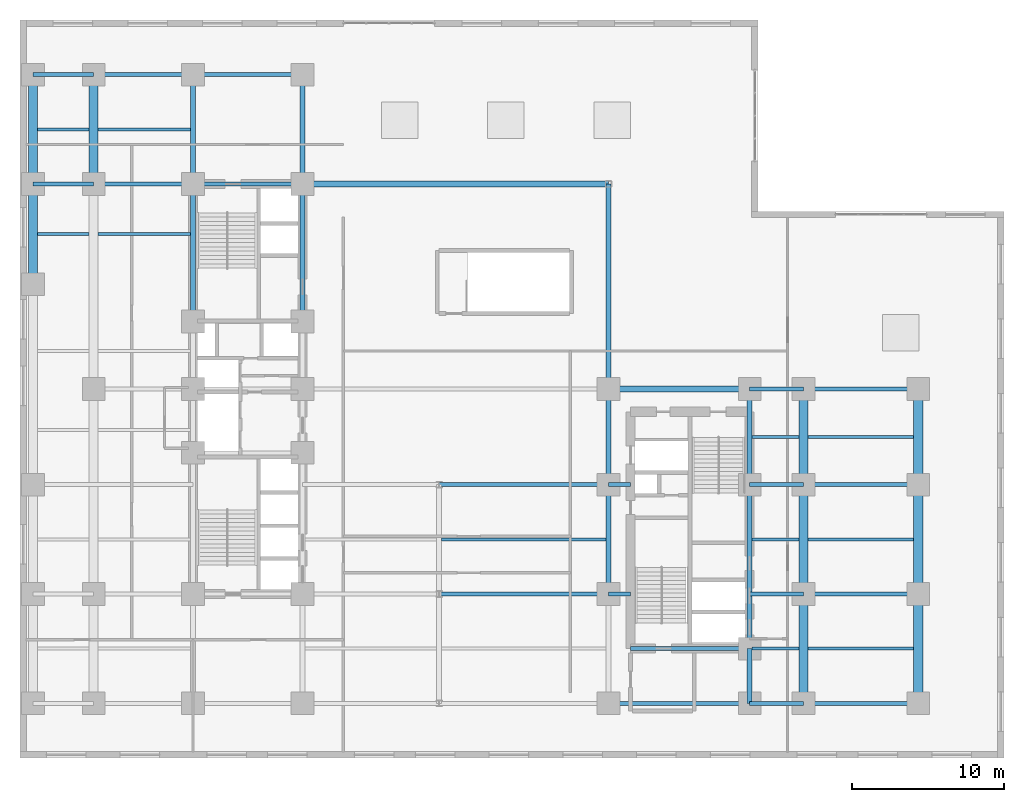
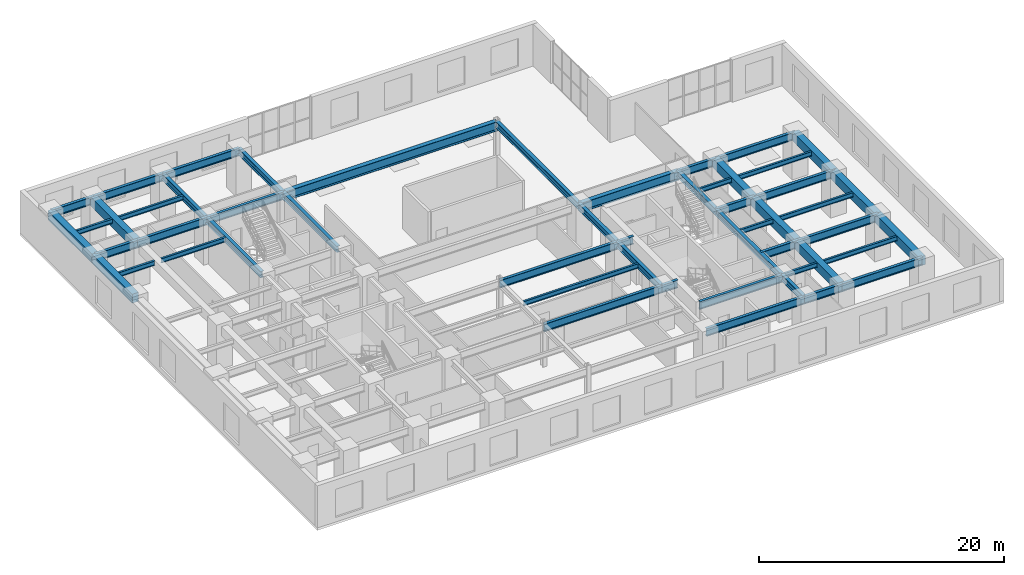
# One storey, part 3 of 14: 52 beams.
"""IFC4 building model written with IfcOpenShell, lengths in metres."""

from ifc_helpers import new_model, entity, si_unit, converted_unit, direction, frame, origin_with_axes, origin_2d_with_axis, place, context, subcontext, project, spatial, rectangle, i_section, extrude, material, material_profile, profile_set, type_object, element, save


model = new_model("IFC4")

# Units and contexts
model_context = context("Model", 3, precision=1e-05, world=origin_with_axes(), true_north=direction((0.0, 1.0)))
body_context = subcontext(model_context, "Body", "Model", "MODEL_VIEW")
ifc_project = project(units=[si_unit("LENGTHUNIT", "METRE"), si_unit("AREAUNIT", "SQUARE_METRE"), si_unit("VOLUMEUNIT", "CUBIC_METRE"), converted_unit("PLANEANGLEUNIT", "DEGREE", entity("IfcPlaneAngleMeasure", 0.017453292519943295), si_unit("PLANEANGLEUNIT", "RADIAN"), dimensions=[0, 0, 0, 0, 0, 0, 0]), si_unit("MASSUNIT", "GRAM", prefix="KILO"), si_unit("THERMODYNAMICTEMPERATUREUNIT", "KELVIN")], contexts=[model_context])

# Site, building, storey
site_placement = place(None, origin_with_axes())
site = spatial("IfcSite", under=ifc_project, at=site_placement, CompositionType="ELEMENT")
building_placement = place(site_placement, origin_with_axes())
building = spatial("IfcBuilding", under=site, at=building_placement, Name="Varnlund Millrace Tower", CompositionType="ELEMENT")
storey_placement = place(building_placement, frame((0.0, 0.0, 24.3), z_axis=(0.0, 0.0, 1.0), x_axis=(1.0, 0.0, 0.0)))
storey = spatial("IfcBuildingStorey", under=building, at=storey_placement, Name="L05", CompositionType="ELEMENT", Elevation=24.3)

# Beams
ifc_material_1 = material(Name="Steel ASTM A992 Grade 50", Category="steel")
ifc_material_profile_1 = material_profile(ifc_material_1, i_section(OverallWidth=0.328, OverallDepth=0.628, WebThickness=0.0165, FlangeThickness=0.0277, FilletRadius=0.018, at=origin_2d_with_axis()), Name="Steel ASTM A992 Grade 50")
ifc_profile_set_1 = profile_set([ifc_material_profile_1], Name="Steel ASTM A992 Grade 50")
beam_type_1 = type_object("IfcBeamType", Name="Type-Girder-W24X146", PredefinedType="USERDEFINED", material=ifc_profile_set_1)
beam_1_placement = place(storey_placement, frame((11.4, 28.75, 3.886), z_axis=(0.0, 1.0, 0.0), x_axis=(-1.0, 0.0, 0.0)))
element("IfcBeam", 1, at=beam_1_placement, inside=storey, type_object=beam_type_1, Name="Type-Girder-W24X146", ObjectType="GIRDER", PredefinedType="USERDEFINED", context=body_context, shape_type="SweptSolid", body=[
    extrude(i_section(OverallWidth=0.328, OverallDepth=0.628, WebThickness=0.0165, FlangeThickness=0.0277, FilletRadius=0.018, at=origin_2d_with_axis()), origin_with_axes(), (0.0, 0.0, 1.0), 9.05),
])
beam_2_placement = place(storey_placement, frame((11.4, 37.8, 3.886), z_axis=(0.0, 1.0, 0.0), x_axis=(-1.0, 0.0, 0.0)))
element("IfcBeam", 2, at=beam_2_placement, inside=storey, type_object=beam_type_1, Name="Type-Girder-W24X146", ObjectType="GIRDER", PredefinedType="USERDEFINED", context=body_context, shape_type="SweptSolid", body=[
    extrude(i_section(OverallWidth=0.328, OverallDepth=0.628, WebThickness=0.0165, FlangeThickness=0.0277, FilletRadius=0.018, at=origin_2d_with_axis()), origin_with_axes(), (0.0, 0.0, 1.0), 7.2),
])
beam_3_placement = place(storey_placement, frame((18.6, 28.75, 3.886), z_axis=(0.0, 1.0, 0.0), x_axis=(-1.0, 0.0, 0.0)))
element("IfcBeam", 3, at=beam_3_placement, inside=storey, type_object=beam_type_1, Name="Type-Girder-W24X146", ObjectType="GIRDER", PredefinedType="USERDEFINED", context=body_context, shape_type="SweptSolid", body=[
    extrude(i_section(OverallWidth=0.328, OverallDepth=0.628, WebThickness=0.0165, FlangeThickness=0.0277, FilletRadius=0.018, at=origin_2d_with_axis()), origin_with_axes(), (0.0, 0.0, 1.0), 9.05),
])
for number, where, z_axis, x_axis, name in (
    (4, (18.6, 37.8, 3.886), (0.0, 1.0, 0.0), (-1.0, 0.0, 0.0), "Type-Girder-W24X146"),
    (5, (38.75, 10.8, 3.886), (0.0, 1.0, 0.0), (-1.0, 0.0, 0.0), "Type-Girder-W24X146"),
):
    element("IfcBeam", number, at=place(storey_placement, frame(where, z_axis=z_axis, x_axis=x_axis)), inside=storey, type_object=beam_type_1, Name=name, ObjectType="GIRDER", PredefinedType="USERDEFINED", context=body_context, shape_type="SweptSolid", body=[
        extrude(i_section(OverallWidth=0.328, OverallDepth=0.628, WebThickness=0.0165, FlangeThickness=0.0277, FilletRadius=0.018, at=origin_2d_with_axis()), origin_with_axes(), (0.0, 0.0, 1.0), 7.2),
    ])
beam_4_placement = place(storey_placement, frame((38.75, 18.0, 3.886), z_axis=(0.0, 1.0, 0.0), x_axis=(-1.0, 0.0, 0.0)))
element("IfcBeam", 6, at=beam_4_placement, inside=storey, type_object=beam_type_1, Name="Type-Girder-W24X146", ObjectType="GIRDER", PredefinedType="USERDEFINED", context=body_context, shape_type="SweptSolid", body=[
    extrude(i_section(OverallWidth=0.328, OverallDepth=0.628, WebThickness=0.0165, FlangeThickness=0.0277, FilletRadius=0.018, at=origin_2d_with_axis()), origin_with_axes(), (0.0, 0.0, 1.0), 6.3),
])
beam_5_placement = place(storey_placement, frame((38.75, 24.3, 3.886), z_axis=(0.0, 1.0, 0.0), x_axis=(-1.0, 0.0, 0.0)))
element("IfcBeam", 7, at=beam_5_placement, inside=storey, type_object=beam_type_1, Name="Type-Girder-W24X146", ObjectType="GIRDER", PredefinedType="USERDEFINED", context=body_context, shape_type="SweptSolid", body=[
    extrude(i_section(OverallWidth=0.328, OverallDepth=0.628, WebThickness=0.0165, FlangeThickness=0.0277, FilletRadius=0.018, at=origin_2d_with_axis()), origin_with_axes(), (0.0, 0.0, 1.0), 13.5),
])
beam_6_placement = place(storey_placement, frame((48.05, 3.6, 3.886), z_axis=(0.0, 1.0, 0.0), x_axis=(-1.0, 0.0, 0.0)))
element("IfcBeam", 8, at=beam_6_placement, inside=storey, type_object=beam_type_1, Name="Type-Girder-W24X146", ObjectType="GIRDER", PredefinedType="USERDEFINED", context=body_context, shape_type="SweptSolid", body=[
    extrude(i_section(OverallWidth=0.328, OverallDepth=0.628, WebThickness=0.0165, FlangeThickness=0.0277, FilletRadius=0.018, at=origin_2d_with_axis()), origin_with_axes(), (0.0, 0.0, 1.0), 3.6),
])
beam_7_placement = place(storey_placement, frame((48.05, 7.2, 3.886), z_axis=(0.0, 1.0, 0.0), x_axis=(-1.0, 0.0, 0.0)))
element("IfcBeam", 9, at=beam_7_placement, inside=storey, type_object=beam_type_1, Name="Type-Girder-W24X146", ObjectType="GIRDER", PredefinedType="USERDEFINED", context=body_context, shape_type="SweptSolid", body=[
    extrude(i_section(OverallWidth=0.328, OverallDepth=0.628, WebThickness=0.0165, FlangeThickness=0.0277, FilletRadius=0.018, at=origin_2d_with_axis()), origin_with_axes(), (0.0, 0.0, 1.0), 10.8),
])
beam_8_placement = place(storey_placement, frame((48.05, 18.0, 3.886), z_axis=(0.0, 1.0, 0.0), x_axis=(-1.0, 0.0, 0.0)))
element("IfcBeam", 10, at=beam_8_placement, inside=storey, type_object=beam_type_1, Name="Type-Girder-W24X146", ObjectType="GIRDER", PredefinedType="USERDEFINED", context=body_context, shape_type="SweptSolid", body=[
    extrude(i_section(OverallWidth=0.328, OverallDepth=0.628, WebThickness=0.0165, FlangeThickness=0.0277, FilletRadius=0.018, at=origin_2d_with_axis()), origin_with_axes(), (0.0, 0.0, 1.0), 6.3),
])
ifc_material_profile_2 = material_profile(ifc_material_1, i_section(OverallWidth=0.266, OverallDepth=0.779, WebThickness=0.0165, FlangeThickness=0.03, FilletRadius=0.02, at=origin_2d_with_axis()), Name="Steel ASTM A992 Grade 50")
ifc_profile_set_2 = profile_set([ifc_material_profile_2], Name="Steel ASTM A992 Grade 50")
beam_type_2 = type_object("IfcBeamType", Name="Type-Girder-W30X148", PredefinedType="USERDEFINED", material=ifc_profile_set_2)
beam_9_placement = place(storey_placement, frame((38.75, 3.6, 3.8105), z_axis=(1.0, 0.0, 0.0), x_axis=(0.0, 1.0, 0.0)))
element("IfcBeam", 11, at=beam_9_placement, inside=storey, type_object=beam_type_2, Name="Type-Girder-W30X148", ObjectType="GIRDER", PredefinedType="USERDEFINED", context=body_context, shape_type="SweptSolid", body=[
    extrude(i_section(OverallWidth=0.266, OverallDepth=0.779, WebThickness=0.0165, FlangeThickness=0.03, FilletRadius=0.02, at=origin_2d_with_axis()), origin_with_axes(), (0.0, 0.0, 1.0), 9.3),
])
beam_10_placement = place(storey_placement, frame((48.05, 3.6, 3.8105), z_axis=(1.0, 0.0, 0.0), x_axis=(0.0, 1.0, 0.0)))
element("IfcBeam", 12, at=beam_10_placement, inside=storey, type_object=beam_type_2, Name="Type-Girder-W30X148", ObjectType="GIRDER", PredefinedType="USERDEFINED", context=body_context, shape_type="SweptSolid", body=[
    extrude(i_section(OverallWidth=0.266, OverallDepth=0.779, WebThickness=0.0165, FlangeThickness=0.03, FilletRadius=0.02, at=origin_2d_with_axis()), origin_with_axes(), (0.0, 0.0, 1.0), 3.55),
])
beam_11_placement = place(storey_placement, frame((51.6, 3.6, 3.8105), z_axis=(1.0, 0.0, 0.0), x_axis=(0.0, 1.0, 0.0)))
element("IfcBeam", 13, at=beam_11_placement, inside=storey, type_object=beam_type_2, Name="Type-Girder-W30X148", ObjectType="GIRDER", PredefinedType="USERDEFINED", context=body_context, shape_type="SweptSolid", body=[
    extrude(i_section(OverallWidth=0.266, OverallDepth=0.779, WebThickness=0.0165, FlangeThickness=0.03, FilletRadius=0.02, at=origin_2d_with_axis()), origin_with_axes(), (0.0, 0.0, 1.0), 7.55),
])
beam_12_placement = place(storey_placement, frame((40.2, 7.2, 3.8105), z_axis=(1.0, 0.0, 0.0), x_axis=(0.0, 1.0, 0.0)))
element("IfcBeam", 14, at=beam_12_placement, inside=storey, type_object=beam_type_2, Name="Type-Girder-W30X148", ObjectType="GIRDER", PredefinedType="USERDEFINED", context=body_context, shape_type="SweptSolid", body=[
    extrude(i_section(OverallWidth=0.266, OverallDepth=0.779, WebThickness=0.0165, FlangeThickness=0.03, FilletRadius=0.02, at=origin_2d_with_axis()), origin_with_axes(), (0.0, 0.0, 1.0), 7.85),
])
beam_13_placement = place(storey_placement, frame((27.6, 10.8, 3.8105), z_axis=(1.0, 0.0, 0.0), x_axis=(0.0, 1.0, 0.0)))
element("IfcBeam", 15, at=beam_13_placement, inside=storey, type_object=beam_type_2, Name="Type-Girder-W30X148", ObjectType="GIRDER", PredefinedType="USERDEFINED", context=body_context, shape_type="SweptSolid", body=[
    extrude(i_section(OverallWidth=0.266, OverallDepth=0.779, WebThickness=0.0165, FlangeThickness=0.03, FilletRadius=0.02, at=origin_2d_with_axis()), origin_with_axes(), (0.0, 0.0, 1.0), 11.15),
])
beam_14_placement = place(storey_placement, frame((38.75, 10.8, 3.8105), z_axis=(1.0, 0.0, 0.0), x_axis=(0.0, 1.0, 0.0)))
element("IfcBeam", 16, at=beam_14_placement, inside=storey, type_object=beam_type_2, Name="Type-Girder-W30X148", ObjectType="GIRDER", PredefinedType="USERDEFINED", context=body_context, shape_type="SweptSolid", body=[
    extrude(i_section(OverallWidth=0.266, OverallDepth=0.779, WebThickness=0.0165, FlangeThickness=0.03, FilletRadius=0.02, at=origin_2d_with_axis()), origin_with_axes(), (0.0, 0.0, 1.0), 1.45),
])
beam_15_placement = place(storey_placement, frame((48.05, 10.8, 3.8105), z_axis=(1.0, 0.0, 0.0), x_axis=(0.0, 1.0, 0.0)))
element("IfcBeam", 17, at=beam_15_placement, inside=storey, type_object=beam_type_2, Name="Type-Girder-W30X148", ObjectType="GIRDER", PredefinedType="USERDEFINED", context=body_context, shape_type="SweptSolid", body=[
    extrude(i_section(OverallWidth=0.266, OverallDepth=0.779, WebThickness=0.0165, FlangeThickness=0.03, FilletRadius=0.02, at=origin_2d_with_axis()), origin_with_axes(), (0.0, 0.0, 1.0), 3.55),
])
beam_16_placement = place(storey_placement, frame((51.6, 10.8, 3.8105), z_axis=(1.0, 0.0, 0.0), x_axis=(0.0, 1.0, 0.0)))
element("IfcBeam", 18, at=beam_16_placement, inside=storey, type_object=beam_type_2, Name="Type-Girder-W30X148", ObjectType="GIRDER", PredefinedType="USERDEFINED", context=body_context, shape_type="SweptSolid", body=[
    extrude(i_section(OverallWidth=0.266, OverallDepth=0.779, WebThickness=0.0165, FlangeThickness=0.03, FilletRadius=0.02, at=origin_2d_with_axis()), origin_with_axes(), (0.0, 0.0, 1.0), 7.55),
])
beam_17_placement = place(storey_placement, frame((27.6, 18.0, 3.8105), z_axis=(1.0, 0.0, 0.0), x_axis=(0.0, 1.0, 0.0)))
element("IfcBeam", 19, at=beam_17_placement, inside=storey, type_object=beam_type_2, Name="Type-Girder-W30X148", ObjectType="GIRDER", PredefinedType="USERDEFINED", context=body_context, shape_type="SweptSolid", body=[
    extrude(i_section(OverallWidth=0.266, OverallDepth=0.779, WebThickness=0.0165, FlangeThickness=0.03, FilletRadius=0.02, at=origin_2d_with_axis()), origin_with_axes(), (0.0, 0.0, 1.0), 11.15),
])
beam_18_placement = place(storey_placement, frame((38.75, 18.0, 3.8105), z_axis=(1.0, 0.0, 0.0), x_axis=(0.0, 1.0, 0.0)))
element("IfcBeam", 20, at=beam_18_placement, inside=storey, type_object=beam_type_2, Name="Type-Girder-W30X148", ObjectType="GIRDER", PredefinedType="USERDEFINED", context=body_context, shape_type="SweptSolid", body=[
    extrude(i_section(OverallWidth=0.266, OverallDepth=0.779, WebThickness=0.0165, FlangeThickness=0.03, FilletRadius=0.02, at=origin_2d_with_axis()), origin_with_axes(), (0.0, 0.0, 1.0), 1.45),
])
beam_19_placement = place(storey_placement, frame((48.05, 18.0, 3.8105), z_axis=(1.0, 0.0, 0.0), x_axis=(0.0, 1.0, 0.0)))
element("IfcBeam", 21, at=beam_19_placement, inside=storey, type_object=beam_type_2, Name="Type-Girder-W30X148", ObjectType="GIRDER", PredefinedType="USERDEFINED", context=body_context, shape_type="SweptSolid", body=[
    extrude(i_section(OverallWidth=0.266, OverallDepth=0.779, WebThickness=0.0165, FlangeThickness=0.03, FilletRadius=0.02, at=origin_2d_with_axis()), origin_with_axes(), (0.0, 0.0, 1.0), 3.55),
])
beam_20_placement = place(storey_placement, frame((51.6, 18.0, 3.8105), z_axis=(1.0, 0.0, 0.0), x_axis=(0.0, 1.0, 0.0)))
element("IfcBeam", 22, at=beam_20_placement, inside=storey, type_object=beam_type_2, Name="Type-Girder-W30X148", ObjectType="GIRDER", PredefinedType="USERDEFINED", context=body_context, shape_type="SweptSolid", body=[
    extrude(i_section(OverallWidth=0.266, OverallDepth=0.779, WebThickness=0.0165, FlangeThickness=0.03, FilletRadius=0.02, at=origin_2d_with_axis()), origin_with_axes(), (0.0, 0.0, 1.0), 7.55),
])
beam_21_placement = place(storey_placement, frame((48.05, 24.3, 3.8105), z_axis=(1.0, 0.0, 0.0), x_axis=(0.0, 1.0, 0.0)))
element("IfcBeam", 23, at=beam_21_placement, inside=storey, type_object=beam_type_2, Name="Type-Girder-W30X148", ObjectType="GIRDER", PredefinedType="USERDEFINED", context=body_context, shape_type="SweptSolid", body=[
    extrude(i_section(OverallWidth=0.266, OverallDepth=0.779, WebThickness=0.0165, FlangeThickness=0.03, FilletRadius=0.02, at=origin_2d_with_axis()), origin_with_axes(), (0.0, 0.0, 1.0), 3.55),
])
beam_22_placement = place(storey_placement, frame((51.6, 24.3, 3.8105), z_axis=(1.0, 0.0, 0.0), x_axis=(0.0, 1.0, 0.0)))
element("IfcBeam", 24, at=beam_22_placement, inside=storey, type_object=beam_type_2, Name="Type-Girder-W30X148", ObjectType="GIRDER", PredefinedType="USERDEFINED", context=body_context, shape_type="SweptSolid", body=[
    extrude(i_section(OverallWidth=0.266, OverallDepth=0.779, WebThickness=0.0165, FlangeThickness=0.03, FilletRadius=0.02, at=origin_2d_with_axis()), origin_with_axes(), (0.0, 0.0, 1.0), 7.55),
])
beam_23_placement = place(storey_placement, frame((0.85, 37.8, 3.8105), z_axis=(1.0, 0.0, 0.0), x_axis=(0.0, 1.0, 0.0)))
element("IfcBeam", 25, at=beam_23_placement, inside=storey, type_object=beam_type_2, Name="Type-Girder-W30X148", ObjectType="GIRDER", PredefinedType="USERDEFINED", context=body_context, shape_type="SweptSolid", body=[
    extrude(i_section(OverallWidth=0.266, OverallDepth=0.779, WebThickness=0.0165, FlangeThickness=0.03, FilletRadius=0.02, at=origin_2d_with_axis()), origin_with_axes(), (0.0, 0.0, 1.0), 4.0),
])
beam_24_placement = place(storey_placement, frame((4.85, 37.8, 3.8105), z_axis=(1.0, 0.0, 0.0), x_axis=(0.0, 1.0, 0.0)))
element("IfcBeam", 26, at=beam_24_placement, inside=storey, type_object=beam_type_2, Name="Type-Girder-W30X148", ObjectType="GIRDER", PredefinedType="USERDEFINED", context=body_context, shape_type="SweptSolid", body=[
    extrude(i_section(OverallWidth=0.266, OverallDepth=0.779, WebThickness=0.0165, FlangeThickness=0.03, FilletRadius=0.02, at=origin_2d_with_axis()), origin_with_axes(), (0.0, 0.0, 1.0), 6.55),
])
beam_25_placement = place(storey_placement, frame((11.4, 37.8, 3.8105), z_axis=(1.0, 0.0, 0.0), x_axis=(0.0, 1.0, 0.0)))
element("IfcBeam", 27, at=beam_25_placement, inside=storey, type_object=beam_type_2, Name="Type-Girder-W30X148", ObjectType="GIRDER", PredefinedType="USERDEFINED", context=body_context, shape_type="SweptSolid", body=[
    extrude(i_section(OverallWidth=0.266, OverallDepth=0.779, WebThickness=0.0165, FlangeThickness=0.03, FilletRadius=0.02, at=origin_2d_with_axis()), origin_with_axes(), (0.0, 0.0, 1.0), 7.2),
])
beam_26_placement = place(storey_placement, frame((0.85, 45.0, 3.8105), z_axis=(1.0, 0.0, 0.0), x_axis=(0.0, 1.0, 0.0)))
element("IfcBeam", 28, at=beam_26_placement, inside=storey, type_object=beam_type_2, Name="Type-Girder-W30X148", ObjectType="GIRDER", PredefinedType="USERDEFINED", context=body_context, shape_type="SweptSolid", body=[
    extrude(i_section(OverallWidth=0.266, OverallDepth=0.779, WebThickness=0.0165, FlangeThickness=0.03, FilletRadius=0.02, at=origin_2d_with_axis()), origin_with_axes(), (0.0, 0.0, 1.0), 4.0),
])
beam_27_placement = place(storey_placement, frame((4.85, 45.0, 3.8105), z_axis=(1.0, 0.0, 0.0), x_axis=(0.0, 1.0, 0.0)))
element("IfcBeam", 29, at=beam_27_placement, inside=storey, type_object=beam_type_2, Name="Type-Girder-W30X148", ObjectType="GIRDER", PredefinedType="USERDEFINED", context=body_context, shape_type="SweptSolid", body=[
    extrude(i_section(OverallWidth=0.266, OverallDepth=0.779, WebThickness=0.0165, FlangeThickness=0.03, FilletRadius=0.02, at=origin_2d_with_axis()), origin_with_axes(), (0.0, 0.0, 1.0), 6.55),
])
beam_28_placement = place(storey_placement, frame((11.4, 45.0, 3.8105), z_axis=(1.0, 0.0, 0.0), x_axis=(0.0, 1.0, 0.0)))
element("IfcBeam", 30, at=beam_28_placement, inside=storey, type_object=beam_type_2, Name="Type-Girder-W30X148", ObjectType="GIRDER", PredefinedType="USERDEFINED", context=body_context, shape_type="SweptSolid", body=[
    extrude(i_section(OverallWidth=0.266, OverallDepth=0.779, WebThickness=0.0165, FlangeThickness=0.03, FilletRadius=0.02, at=origin_2d_with_axis()), origin_with_axes(), (0.0, 0.0, 1.0), 7.2),
])
ifc_material_profile_3 = material_profile(ifc_material_1, i_section(OverallWidth=0.418, OverallDepth=0.927, WebThickness=0.0193, FlangeThickness=0.032, FilletRadius=0.024, at=origin_2d_with_axis()), Name="Steel ASTM A992 Grade 50")
ifc_profile_set_3 = profile_set([ifc_material_profile_3], Name="Steel ASTM A992 Grade 50")
beam_type_3 = type_object("IfcBeamType", Name="Type-Girder-W36X231", PredefinedType="USERDEFINED", material=ifc_profile_set_3)
beam_29_placement = place(storey_placement, frame((38.75, 24.3, 3.7365), z_axis=(1.0, 0.0, 0.0), x_axis=(0.0, 1.0, 0.0)))
element("IfcBeam", 31, at=beam_29_placement, inside=storey, type_object=beam_type_3, Name="Type-Girder-W36X231", ObjectType="GIRDER", PredefinedType="USERDEFINED", context=body_context, shape_type="SweptSolid", body=[
    extrude(i_section(OverallWidth=0.418, OverallDepth=0.927, WebThickness=0.0193, FlangeThickness=0.032, FilletRadius=0.024, at=origin_2d_with_axis()), origin_with_axes(), (0.0, 0.0, 1.0), 9.3),
])
beam_30_placement = place(storey_placement, frame((18.6, 37.8, 3.7365), z_axis=(1.0, 0.0, 0.0), x_axis=(0.0, 1.0, 0.0)))
element("IfcBeam", 32, at=beam_30_placement, inside=storey, type_object=beam_type_3, Name="Type-Girder-W36X231", ObjectType="GIRDER", PredefinedType="USERDEFINED", context=body_context, shape_type="SweptSolid", body=[
    extrude(i_section(OverallWidth=0.418, OverallDepth=0.927, WebThickness=0.0193, FlangeThickness=0.032, FilletRadius=0.024, at=origin_2d_with_axis()), origin_with_axes(), (0.0, 0.0, 1.0), 20.15),
])
ifc_material_profile_4 = material_profile(ifc_material_1, i_section(OverallWidth=0.191, OverallDepth=0.457, WebThickness=0.009, FlangeThickness=0.0145, FilletRadius=0.013, at=origin_2d_with_axis()), Name="Steel ASTM A992 Grade 50")
ifc_profile_set_4 = profile_set([ifc_material_profile_4], Name="Steel ASTM A992 Grade 50")
beam_type_4 = type_object("IfcBeamType", Name="Type-Joist-W18X50", PredefinedType="JOIST", material=ifc_profile_set_4)
for number, where, z_axis, x_axis, name in (
    (33, (1.15, 34.5, 3.9715), (1.0, 0.0, 0.0), (0.0, 1.0, 0.0), "Type-Joist-W18X50"),
    (34, (1.15, 41.4, 3.9715), (1.0, 0.0, 0.0), (0.0, 1.0, 0.0), "Type-Joist-W18X50"),
):
    element("IfcBeam", number, at=place(storey_placement, frame(where, z_axis=z_axis, x_axis=x_axis)), inside=storey, type_object=beam_type_4, Name=name, PredefinedType="JOIST", context=body_context, shape_type="SweptSolid", body=[
        extrude(i_section(OverallWidth=0.191, OverallDepth=0.457, WebThickness=0.009, FlangeThickness=0.0145, FilletRadius=0.013, at=origin_2d_with_axis()), origin_with_axes(), (0.0, 0.0, 1.0), 3.4),
    ])
for number, where, z_axis, x_axis, name in (
    (35, (5.15, 34.5, 3.9715), (1.0, 0.0, 0.0), (0.0, 1.0, 0.0), "Type-Joist-W18X50"),
    (36, (5.15, 41.4, 3.9715), (1.0, 0.0, 0.0), (0.0, 1.0, 0.0), "Type-Joist-W18X50"),
):
    element("IfcBeam", number, at=place(storey_placement, frame(where, z_axis=z_axis, x_axis=x_axis)), inside=storey, type_object=beam_type_4, Name=name, PredefinedType="JOIST", context=body_context, shape_type="SweptSolid", body=[
        extrude(i_section(OverallWidth=0.191, OverallDepth=0.457, WebThickness=0.009, FlangeThickness=0.0145, FilletRadius=0.013, at=origin_2d_with_axis()), origin_with_axes(), (0.0, 0.0, 1.0), 6.086),
    ])
for number, where, z_axis, x_axis, name in (
    (37, (48.214, 7.2, 3.9715), (1.0, 0.0, 0.0), (0.0, 1.0, 0.0), "Type-Joist-W18X50"),
    (38, (48.214, 14.4, 3.9715), (1.0, 0.0, 0.0), (0.0, 1.0, 0.0), "Type-Joist-W18X50"),
    (39, (48.214, 21.15, 3.9715), (1.0, 0.0, 0.0), (0.0, 1.0, 0.0), "Type-Joist-W18X50"),
):
    element("IfcBeam", number, at=place(storey_placement, frame(where, z_axis=z_axis, x_axis=x_axis)), inside=storey, type_object=beam_type_4, Name=name, PredefinedType="JOIST", context=body_context, shape_type="SweptSolid", body=[
        extrude(i_section(OverallWidth=0.191, OverallDepth=0.457, WebThickness=0.009, FlangeThickness=0.0145, FilletRadius=0.013, at=origin_2d_with_axis()), origin_with_axes(), (0.0, 0.0, 1.0), 3.086),
    ])
for number, where, z_axis, x_axis, name in (
    (40, (51.9, 7.2, 3.9715), (1.0, 0.0, 0.0), (0.0, 1.0, 0.0), "Type-Joist-W18X50"),
    (41, (51.9, 14.4, 3.9715), (1.0, 0.0, 0.0), (0.0, 1.0, 0.0), "Type-Joist-W18X50"),
    (42, (51.9, 21.15, 3.9715), (1.0, 0.0, 0.0), (0.0, 1.0, 0.0), "Type-Joist-W18X50"),
):
    element("IfcBeam", number, at=place(storey_placement, frame(where, z_axis=z_axis, x_axis=x_axis)), inside=storey, type_object=beam_type_4, Name=name, PredefinedType="JOIST", context=body_context, shape_type="SweptSolid", body=[
        extrude(i_section(OverallWidth=0.191, OverallDepth=0.457, WebThickness=0.009, FlangeThickness=0.0145, FilletRadius=0.013, at=origin_2d_with_axis()), origin_with_axes(), (0.0, 0.0, 1.0), 6.95),
    ])
beam_31_placement = place(storey_placement, frame((27.764, 14.4, 3.9715), z_axis=(1.0, 0.0, 0.0), x_axis=(0.0, 1.0, 0.0)))
element("IfcBeam", 43, at=beam_31_placement, inside=storey, type_object=beam_type_4, Name="Type-Joist-W18X50", PredefinedType="JOIST", context=body_context, shape_type="SweptSolid", body=[
    extrude(i_section(OverallWidth=0.191, OverallDepth=0.457, WebThickness=0.009, FlangeThickness=0.0145, FilletRadius=0.013, at=origin_2d_with_axis()), origin_with_axes(), (0.0, 0.0, 1.0), 10.822),
])
ifc_material_2 = material(Name="Concrete C70/85", Category="concrete")
ifc_material_profile_5 = material_profile(ifc_material_2, rectangle(XDim=0.6, YDim=0.9, at=origin_2d_with_axis()), Name="Concrete C70/85")
ifc_profile_set_5 = profile_set([ifc_material_profile_5], Name="Concrete C70/85")
beam_type_5 = type_object("IfcBeamType", Name="Type-Spandrel-RC600X900", PredefinedType="SPANDREL", material=ifc_profile_set_5)
beam_32_placement = place(storey_placement, frame((0.85, 31.2, 3.75), z_axis=(0.0, 1.0, 0.0), x_axis=(-1.0, 0.0, 0.0)))
element("IfcBeam", 44, at=beam_32_placement, inside=storey, type_object=beam_type_5, Name="Type-Spandrel-RC600X900", PredefinedType="SPANDREL", context=body_context, shape_type="SweptSolid", body=[
    extrude(rectangle(XDim=0.6, YDim=0.9, at=origin_2d_with_axis()), origin_with_axes(), (0.0, 0.0, 1.0), 6.6),
])
for number, where, z_axis, x_axis, name in (
    (45, (0.85, 37.8, 3.75), (0.0, 1.0, 0.0), (-1.0, 0.0, 0.0), "Type-Spandrel-RC600X900"),
    (46, (4.85, 37.8, 3.75), (0.0, 1.0, 0.0), (-1.0, 0.0, 0.0), "Type-Spandrel-RC600X900"),
    (47, (51.6, 3.6, 3.75), (0.0, 1.0, 0.0), (-1.0, 0.0, 0.0), "Type-Spandrel-RC600X900"),
    (48, (51.6, 10.8, 3.75), (0.0, 1.0, 0.0), (-1.0, 0.0, 0.0), "Type-Spandrel-RC600X900"),
):
    element("IfcBeam", number, at=place(storey_placement, frame(where, z_axis=z_axis, x_axis=x_axis)), inside=storey, type_object=beam_type_5, Name=name, PredefinedType="SPANDREL", context=body_context, shape_type="SweptSolid", body=[
        extrude(rectangle(XDim=0.6, YDim=0.9, at=origin_2d_with_axis()), origin_with_axes(), (0.0, 0.0, 1.0), 7.2),
    ])
beam_33_placement = place(storey_placement, frame((51.6, 18.0, 3.75), z_axis=(0.0, 1.0, 0.0), x_axis=(-1.0, 0.0, 0.0)))
element("IfcBeam", 49, at=beam_33_placement, inside=storey, type_object=beam_type_5, Name="Type-Spandrel-RC600X900", PredefinedType="SPANDREL", context=body_context, shape_type="SweptSolid", body=[
    extrude(rectangle(XDim=0.6, YDim=0.9, at=origin_2d_with_axis()), origin_with_axes(), (0.0, 0.0, 1.0), 6.3),
])
for number, where, z_axis, x_axis, name in (
    (50, (59.15, 3.6, 3.75), (0.0, 1.0, 0.0), (-1.0, 0.0, 0.0), "Type-Spandrel-RC600X900"),
    (51, (59.15, 10.8, 3.75), (0.0, 1.0, 0.0), (-1.0, 0.0, 0.0), "Type-Spandrel-RC600X900"),
):
    element("IfcBeam", number, at=place(storey_placement, frame(where, z_axis=z_axis, x_axis=x_axis)), inside=storey, type_object=beam_type_5, Name=name, PredefinedType="SPANDREL", context=body_context, shape_type="SweptSolid", body=[
        extrude(rectangle(XDim=0.6, YDim=0.9, at=origin_2d_with_axis()), origin_with_axes(), (0.0, 0.0, 1.0), 7.2),
    ])
beam_34_placement = place(storey_placement, frame((59.15, 18.0, 3.75), z_axis=(0.0, 1.0, 0.0), x_axis=(-1.0, 0.0, 0.0)))
element("IfcBeam", 52, at=beam_34_placement, inside=storey, type_object=beam_type_5, Name="Type-Spandrel-RC600X900", PredefinedType="SPANDREL", context=body_context, shape_type="SweptSolid", body=[
    extrude(rectangle(XDim=0.6, YDim=0.9, at=origin_2d_with_axis()), origin_with_axes(), (0.0, 0.0, 1.0), 6.3),
])

save(model, "model.ifc")
